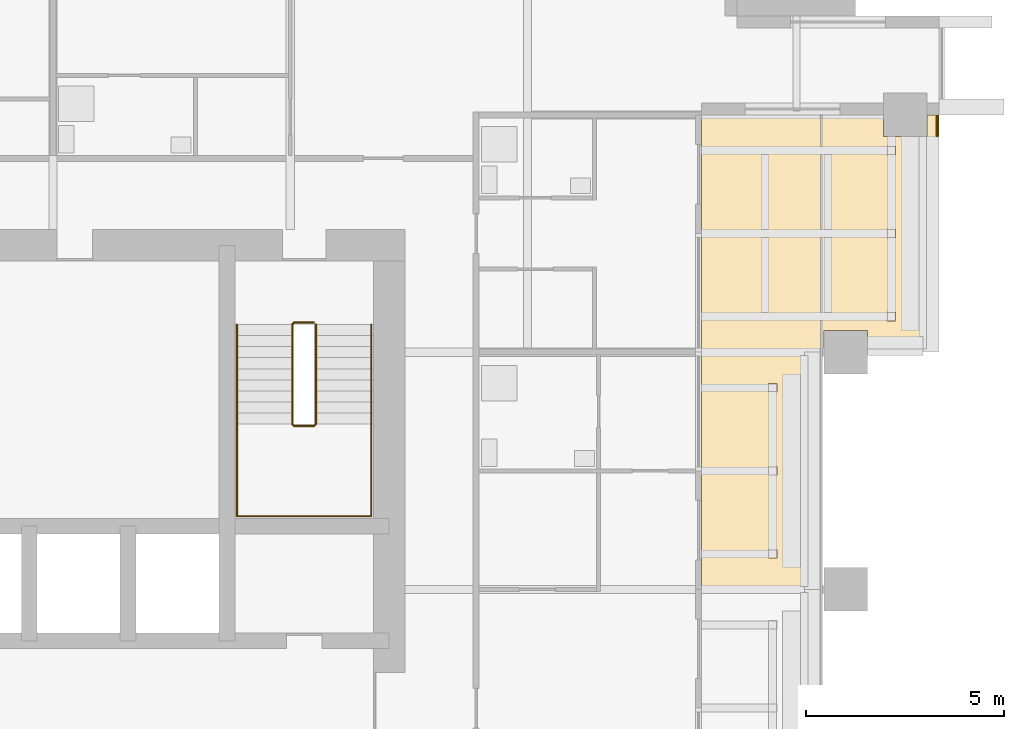
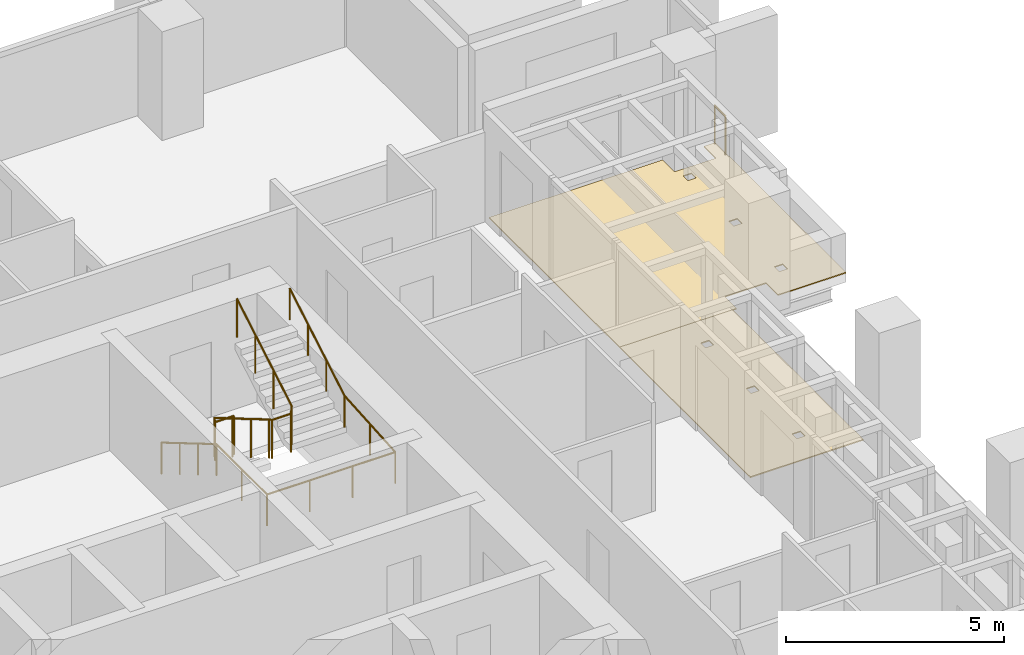
# One storey, part 15 of 16: 3 railings, 2 coverings.
"""IFC4 building model written with IfcOpenShell, lengths in metres."""

from ifc_helpers import new_model, si_unit, direction, frame, origin, origin_2d, place, context, subcontext, project, spatial, polyline, circle, outline, extrude, material, layer, layer_set, type_object, element, save


model = new_model("IFC4")

# Units and contexts
model_context = context("Model", 3, precision=1e-05, world=origin(), true_north=direction((0.0, 1.0)))
body_context = subcontext(model_context, "Body", "Model", "MODEL_VIEW")
ifc_project = project(units=[si_unit("LENGTHUNIT", "METRE"), si_unit("AREAUNIT", "SQUARE_METRE"), si_unit("VOLUMEUNIT", "CUBIC_METRE"), si_unit("PLANEANGLEUNIT", "RADIAN"), si_unit("MASSUNIT", "GRAM", prefix="KILO")], contexts=[model_context])

# Site, building, storey
site_placement = place(None, origin())
site = spatial("IfcSite", under=ifc_project, at=site_placement, CompositionType="ELEMENT")
building_placement = place(site_placement, origin())
building = spatial("IfcBuilding", under=site, at=building_placement, Name="Amberfall Residences", CompositionType="ELEMENT")
storey_placement = place(building_placement, frame((0.0, 0.0, 108.39990234375)))
storey = spatial("IfcBuildingStorey", under=building, at=storey_placement, Name="L29", CompositionType="ELEMENT", Elevation=108.39990234375)

# Coverings
ifc_material_1 = material(Name="Pale stone paving", Category="masonry")
ifc_layer = layer(ifc_material_1, 0.030029296875)
ifc_layer_set = layer_set([ifc_layer], Name="Pale stone paving 30")
covering_type = type_object("IfcCoveringType", Name="Pale stone paving 30", PredefinedType="FLOORING", material=ifc_layer_set)
covering_1_placement = place(storey_placement, origin())
element("IfcCovering", 1, at=covering_1_placement, inside=storey, type_object=covering_type, Name="Pale stone paving L29 E4", PredefinedType="FLOORING", context=body_context, shape_type="SweptSolid", body=[
    extrude(outline(polyline([(94.0, 54.39990234375), (94.0, 48.39990234375), (97.0, 48.39990234375), (97.0, 54.39990234375), (94.0, 54.39990234375)]), holes=[polyline([(95.68994140625, 49.18994140625), (95.909912109375, 49.18994140625), (95.909912109375, 49.409912109375), (95.68994140625, 49.409912109375), (95.68994140625, 49.18994140625)]), polyline([(95.68994140625, 51.2900390625), (95.909912109375, 51.2900390625), (95.909912109375, 51.510009765625), (95.68994140625, 51.510009765625), (95.68994140625, 51.2900390625)]), polyline([(95.68994140625, 53.389892578125), (95.909912109375, 53.389892578125), (95.909912109375, 53.610107421875), (95.68994140625, 53.610107421875), (95.68994140625, 53.389892578125)])]), origin(), (0.0, 0.0, 1.0), 0.030029296875),
])
covering_2_placement = place(storey_placement, origin())
element("IfcCovering", 2, at=covering_2_placement, inside=storey, type_object=covering_type, Name="Pale stone paving L29 E5", PredefinedType="FLOORING", context=body_context, shape_type="SweptSolid", body=[
    extrude(outline(polyline([(100.0, 60.39990234375), (99.699951171875, 60.39990234375), (99.699951171875, 59.85009765625), (98.60009765625, 59.85009765625), (98.60009765625, 60.39990234375), (94.0, 60.39990234375), (94.0, 54.39990234375), (97.10009765625, 54.39990234375), (97.10009765625, 54.949951171875), (98.199951171875, 54.949951171875), (98.199951171875, 54.39990234375), (100.0, 54.39990234375), (100.0, 60.39990234375)]), holes=[polyline([(98.68994140625, 55.18994140625), (98.909912109375, 55.18994140625), (98.909912109375, 55.409912109375), (98.68994140625, 55.409912109375), (98.68994140625, 55.18994140625)]), polyline([(98.68994140625, 57.2900390625), (98.909912109375, 57.2900390625), (98.909912109375, 57.510009765625), (98.68994140625, 57.510009765625), (98.68994140625, 57.2900390625)]), polyline([(98.68994140625, 59.389892578125), (98.909912109375, 59.389892578125), (98.909912109375, 59.610107421875), (98.68994140625, 59.610107421875), (98.68994140625, 59.389892578125)])]), origin(), (0.0, 0.0, 1.0), 0.030029296875),
])

# Railings
ifc_material_2 = material(Name="Stainless steel 316", Category="steel")
railing_type_1 = type_object("IfcRailingType", Name="Stair guard 1100", PredefinedType="GUARDRAIL", material=ifc_material_2)
railing_1_placement = place(storey_placement, frame((84.199951171875, 55.14990234375, 0.0)))
element("IfcRailing", 3, at=railing_1_placement, inside=storey, type_object=railing_type_1, Name="L29 stair 3 guard", PredefinedType="GUARDRAIL", context=body_context, shape_type="SweptSolid", body=[
    extrude(circle(Radius=0.02392578125, at=origin_2d()), frame((0.0, 0.0, 1.076171875), z_axis=(-1.0, 0.0, 0.0), x_axis=(0.0, -1.0, 0.0)), (0.0, 0.0, 1.0), 0.5),
    extrude(circle(Radius=0.02392578125, at=origin_2d()), frame((-0.5, 0.0, 1.076171875), z_axis=(-0.278810427259, -0.277450376394, 0.919394384522), x_axis=(0.705375805398, -0.708833529934, 0.0)), (0.0, 0.0, 1.0), 0.179443359375),
    extrude(circle(Radius=0.02392578125, at=origin_2d()), frame((-0.550048828125, -0.0498046875, 1.2412109375), z_axis=(0.0, -0.86152411907, 0.507716645641), x_axis=(1.0, 0.0, 0.0)), (0.0, 0.0, 1.0), 2.925048828125),
    extrude(circle(Radius=0.02392578125, at=origin_2d()), frame((-0.550048828125, -2.56982421875, 2.72607421875), z_axis=(0.707106781187, -0.707106781187, 0.0), x_axis=(0.707106781187, 0.707106781187, 0.0)), (0.0, 0.0, 1.0), 0.07080078125),
    extrude(circle(Radius=0.02392578125, at=origin_2d()), frame((-0.5, -2.619873046875, 2.72607421875), z_axis=(1.0, 0.0, 0.0), x_axis=(0.0, 1.0, 0.0)), (0.0, 0.0, 1.0), 0.5),
    extrude(circle(Radius=0.02392578125, at=origin_2d()), frame((0.0, -2.619873046875, 2.72607421875), z_axis=(0.278705021027, 0.278705021027, 0.919046801044), x_axis=(-0.707106781187, 0.707106781187, 0.0)), (0.0, 0.0, 1.0), 0.1796875),
    extrude(circle(Radius=0.02392578125, at=origin_2d()), frame((0.050048828125, -2.56982421875, 2.89111328125), z_axis=(0.0, 0.861560626758, 0.507654692109), x_axis=(-1.0, 0.0, 0.0)), (0.0, 0.0, 1.0), 2.925048828125),
    extrude(circle(Radius=0.02099609375, at=origin_2d()), origin(), (0.0, 0.0, 1.0), 1.052001953125),
    extrude(circle(Radius=0.02099609375, at=origin_2d()), frame((-0.5, 0.0, 0.0)), (0.0, 0.0, 1.0), 1.052001953125),
    extrude(circle(Radius=0.02099609375, at=origin_2d()), frame((-0.550048828125, -0.0498046875, 0.1650390625)), (0.0, 0.0, 1.0), 1.052001953125),
    extrude(circle(Radius=0.02099609375, at=origin_2d()), frame((-0.550048828125, -0.889892578125, 0.66015625)), (0.0, 0.0, 1.0), 1.052001953125),
    extrude(circle(Radius=0.02099609375, at=origin_2d()), frame((-0.550048828125, -1.729736328125, 1.155029296875)), (0.0, 0.0, 1.0), 1.052001953125),
    extrude(circle(Radius=0.02099609375, at=origin_2d()), frame((-0.550048828125, -2.56982421875, 1.650146484375)), (0.0, 0.0, 1.0), 1.052001953125),
    extrude(circle(Radius=0.02099609375, at=origin_2d()), frame((-0.5, -2.619873046875, 1.650146484375)), (0.0, 0.0, 1.0), 1.052001953125),
    extrude(circle(Radius=0.02099609375, at=origin_2d()), frame((0.0, -2.619873046875, 1.650146484375)), (0.0, 0.0, 1.0), 1.052001953125),
    extrude(circle(Radius=0.02099609375, at=origin_2d()), frame((0.050048828125, -2.56982421875, 1.815185546875)), (0.0, 0.0, 1.0), 1.052001953125),
    extrude(circle(Radius=0.02099609375, at=origin_2d()), frame((0.050048828125, -1.729736328125, 2.31005859375)), (0.0, 0.0, 1.0), 1.052001953125),
    extrude(circle(Radius=0.02099609375, at=origin_2d()), frame((0.050048828125, -0.889892578125, 2.80517578125)), (0.0, 0.0, 1.0), 1.052001953125),
    extrude(circle(Radius=0.02099609375, at=origin_2d()), frame((0.050048828125, -0.0498046875, 3.300048828125)), (0.0, 0.0, 1.0), 1.052001953125),
])
railing_type_2 = type_object("IfcRailingType", Name="Stair handrail 900", PredefinedType="HANDRAIL", material=ifc_material_2)
railing_2_placement = place(storey_placement, frame((82.25, 55.10009765625, 0.1650390625)))
element("IfcRailing", 4, at=railing_2_placement, inside=storey, type_object=railing_type_2, Name="L29 stair 3 handrail", PredefinedType="HANDRAIL", context=body_context, shape_type="SweptSolid", body=[
    extrude(circle(Radius=0.02392578125, at=origin_2d()), frame((0.0, 0.0, 0.8759765625), z_axis=(0.0, -0.86152411907, 0.507716645641), x_axis=(1.0, 0.0, 0.0)), (0.0, 0.0, 1.0), 2.925048828125),
    extrude(circle(Radius=0.02392578125, at=origin_2d()), frame((0.0, -2.52001953125, 2.36083984375), z_axis=(0.0, -1.0, 0.0), x_axis=(1.0, 0.0, 0.0)), (0.0, 0.0, 1.0), 2.330078125),
    extrude(circle(Radius=0.02392578125, at=origin_2d()), frame((0.0, -4.85009765625, 2.36083984375), z_axis=(1.0, 0.0, 0.0), x_axis=(0.0, 1.0, 0.0)), (0.0, 0.0, 1.0), 3.39990234375),
    extrude(circle(Radius=0.02392578125, at=origin_2d()), frame((3.39990234375, -4.85009765625, 2.36083984375), z_axis=(0.0, 0.997500965899, 0.07065283455), x_axis=(-1.0, 0.0, 0.0)), (0.0, 0.0, 1.0), 2.3359375),
    extrude(circle(Radius=0.02392578125, at=origin_2d()), frame((3.39990234375, -2.52001953125, 2.52587890625), z_axis=(0.0, 0.861560626758, 0.507654692109), x_axis=(-1.0, 0.0, 0.0)), (0.0, 0.0, 1.0), 2.925048828125),
    extrude(circle(Radius=0.02099609375, at=origin_2d()), origin(), (0.0, 0.0, 1.0), 0.851806640625),
    extrude(circle(Radius=0.02099609375, at=origin_2d()), frame((0.0, -0.840087890625, 0.4951171875)), (0.0, 0.0, 1.0), 0.851806640625),
    extrude(circle(Radius=0.02099609375, at=origin_2d()), frame((0.0, -1.679931640625, 0.989990234375)), (0.0, 0.0, 1.0), 0.851806640625),
    extrude(circle(Radius=0.02099609375, at=origin_2d()), frame((0.0, -2.52001953125, 1.485107421875)), (0.0, 0.0, 1.0), 0.851806640625),
    extrude(circle(Radius=0.02099609375, at=origin_2d()), frame((0.0, -3.68505859375, 1.485107421875)), (0.0, 0.0, 1.0), 0.851806640625),
    extrude(circle(Radius=0.02099609375, at=origin_2d()), frame((0.0, -4.85009765625, 1.485107421875)), (0.0, 0.0, 1.0), 0.851806640625),
    extrude(circle(Radius=0.02099609375, at=origin_2d()), frame((1.13330078125, -4.85009765625, 1.485107421875)), (0.0, 0.0, 1.0), 0.851806640625),
    extrude(circle(Radius=0.02099609375, at=origin_2d()), frame((2.2666015625, -4.85009765625, 1.485107421875)), (0.0, 0.0, 1.0), 0.851806640625),
    extrude(circle(Radius=0.02099609375, at=origin_2d()), frame((3.39990234375, -4.85009765625, 1.485107421875)), (0.0, 0.0, 1.0), 0.851806640625),
    extrude(circle(Radius=0.02099609375, at=origin_2d()), frame((3.39990234375, -3.68505859375, 1.567626953125)), (0.0, 0.0, 1.0), 0.851806640625),
    extrude(circle(Radius=0.02099609375, at=origin_2d()), frame((3.39990234375, -2.52001953125, 1.650146484375)), (0.0, 0.0, 1.0), 0.851806640625),
    extrude(circle(Radius=0.02099609375, at=origin_2d()), frame((3.39990234375, -1.679931640625, 2.14501953125)), (0.0, 0.0, 1.0), 0.851806640625),
    extrude(circle(Radius=0.02099609375, at=origin_2d()), frame((3.39990234375, -0.840087890625, 2.64013671875)), (0.0, 0.0, 1.0), 0.851806640625),
    extrude(circle(Radius=0.02099609375, at=origin_2d()), frame((3.39990234375, 0.0, 3.135009765625)), (0.0, 0.0, 1.0), 0.851806640625),
])
ifc_material_3 = material(Name="Bronze anodised aluminium and laminated glass", Category="aluminium")
railing_type_3 = type_object("IfcRailingType", Name="Terrace edge guard 1100", PredefinedType="GUARDRAIL", material=ifc_material_3)
railing_3_placement = place(storey_placement, frame((99.9599609375, 59.8701171875, 0.030029296875)))
element("IfcRailing", 5, at=railing_3_placement, inside=storey, type_object=railing_type_3, Name="Terrace guard L29 E5", PredefinedType="GUARDRAIL", context=body_context, shape_type="SweptSolid", body=[
    extrude(circle(Radius=0.02392578125, at=origin_2d()), frame((0.0, 0.0, 1.076171875), z_axis=(0.00642279242, 0.999979373656, 0.0), x_axis=(-0.999979373656, 0.00642279242, 0.0)), (0.0, 0.0, 1.0), 0.494140625),
    extrude(circle(Radius=0.02099609375, at=origin_2d()), origin(), (0.0, 0.0, 1.0), 1.052001953125),
    extrude(circle(Radius=0.02099609375, at=origin_2d()), frame((0.003173828125, 0.494140625, 0.0)), (0.0, 0.0, 1.0), 1.052001953125),
])

save(model, "model.ifc")
